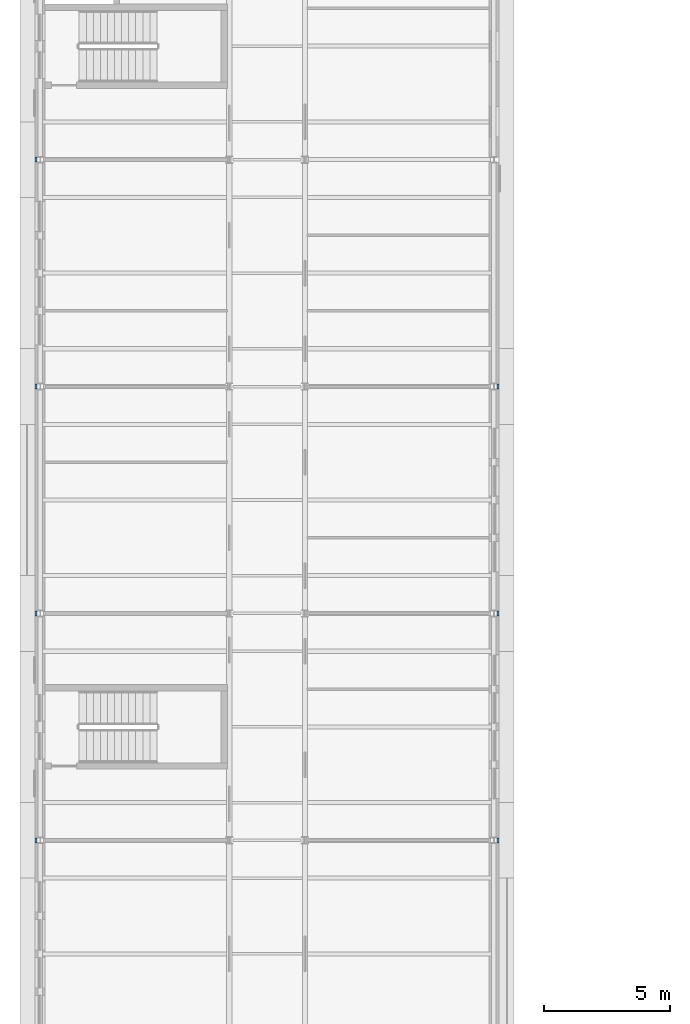
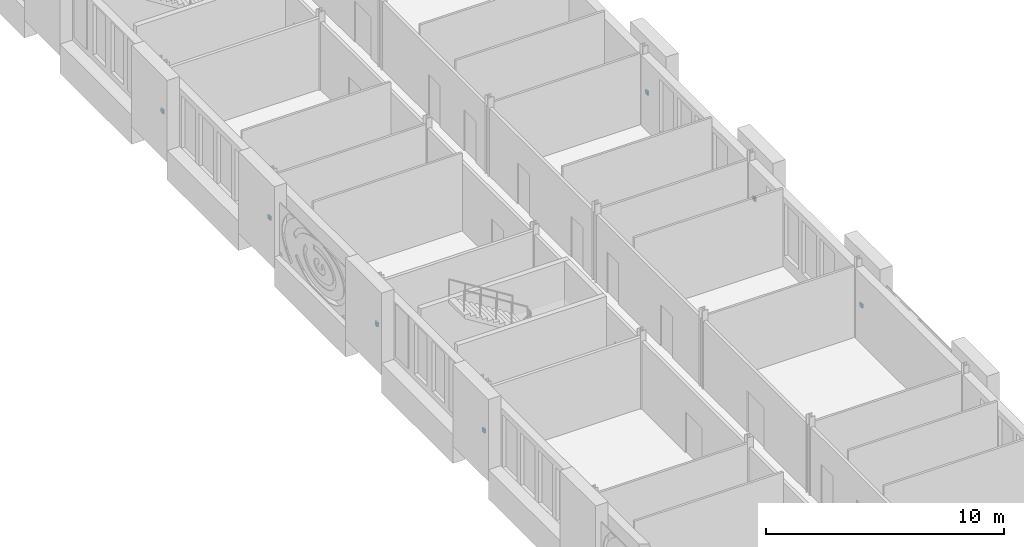
# One storey, part 100 of 121: 7 discrete accessories.
"""IFC4 building model written with IfcOpenShell, lengths in metres."""

from ifc_helpers import new_model, si_unit, direction, frame, origin, origin_2d, place, context, subcontext, project, spatial, rectangle, extrude, material, type_object, element, save


model = new_model("IFC4")

# Units and contexts
model_context = context("Model", 3, precision=1e-05, world=origin(), true_north=direction((0.0, 1.0)))
body_context = subcontext(model_context, "Body", "Model", "MODEL_VIEW")
ifc_project = project(units=[si_unit("LENGTHUNIT", "METRE"), si_unit("AREAUNIT", "SQUARE_METRE"), si_unit("VOLUMEUNIT", "CUBIC_METRE"), si_unit("PLANEANGLEUNIT", "RADIAN"), si_unit("MASSUNIT", "GRAM", prefix="KILO")], contexts=[model_context])

# Site, building, storey
site_placement = place(None, origin())
site = spatial("IfcSite", under=ifc_project, at=site_placement, CompositionType="ELEMENT")
building_placement = place(site_placement, origin())
building = spatial("IfcBuilding", under=site, at=building_placement, Name="Golden Quay Civic Hall", CompositionType="ELEMENT")
storey_placement = place(building_placement, frame((0.0, 0.0, 18.60009765625)))
storey = spatial("IfcBuildingStorey", under=building, at=storey_placement, Name="L04", CompositionType="ELEMENT", Elevation=18.60009765625)

# Discrete accessories
ifc_material = material(Name="Steel S355", Category="steel")
discrete_accessory_type = type_object("IfcDiscreteAccessoryType", Name="Pier fixing bracket 200 x 200", PredefinedType="BRACKET", material=ifc_material)
for number, where, z_axis, x_axis, name in (
    (1, (-0.159912109375, 27.0, 1.39990234375), (0.0, 0.0, 1.0), (0.0, -1.0, 0.0), "Pier fixing bracket 200 x 200 L04 3"),
    (2, (-0.159912109375, 36.0, 1.39990234375), (0.0, 0.0, 1.0), (0.0, -1.0, 0.0), "Pier fixing bracket 200 x 200 L04 4"),
    (3, (-0.159912109375, 45.0, 1.39990234375), (0.0, 0.0, 1.0), (0.0, -1.0, 0.0), "Pier fixing bracket 200 x 200 L04 5"),
    (4, (-0.159912109375, 54.0, 1.39990234375), (0.0, 0.0, 1.0), (0.0, -1.0, 0.0), "Pier fixing bracket 200 x 200 L04 6"),
    (5, (18.159912109375, 27.0, 1.39990234375), (0.0, 0.0, 1.0), (0.0, 1.0, 0.0), "Pier fixing bracket 200 x 200 L04 11"),
    (6, (18.159912109375, 36.0, 1.39990234375), (0.0, 0.0, 1.0), (0.0, 1.0, 0.0), "Pier fixing bracket 200 x 200 L04 12"),
    (7, (18.159912109375, 45.0, 1.39990234375), (0.0, 0.0, 1.0), (0.0, 1.0, 0.0), "Pier fixing bracket 200 x 200 L04 13"),
):
    element("IfcDiscreteAccessory", number, at=place(storey_placement, frame(where, z_axis=z_axis, x_axis=x_axis)), inside=storey, type_object=discrete_accessory_type, Name=name, PredefinedType="BRACKET", context=body_context, shape_type="SweptSolid", body=[
        extrude(rectangle(XDim=0.199951171875, YDim=0.080078125, at=origin_2d()), origin(), (0.0, 0.0, 1.0), 0.199951171875),
    ])

save(model, "model.ifc")
